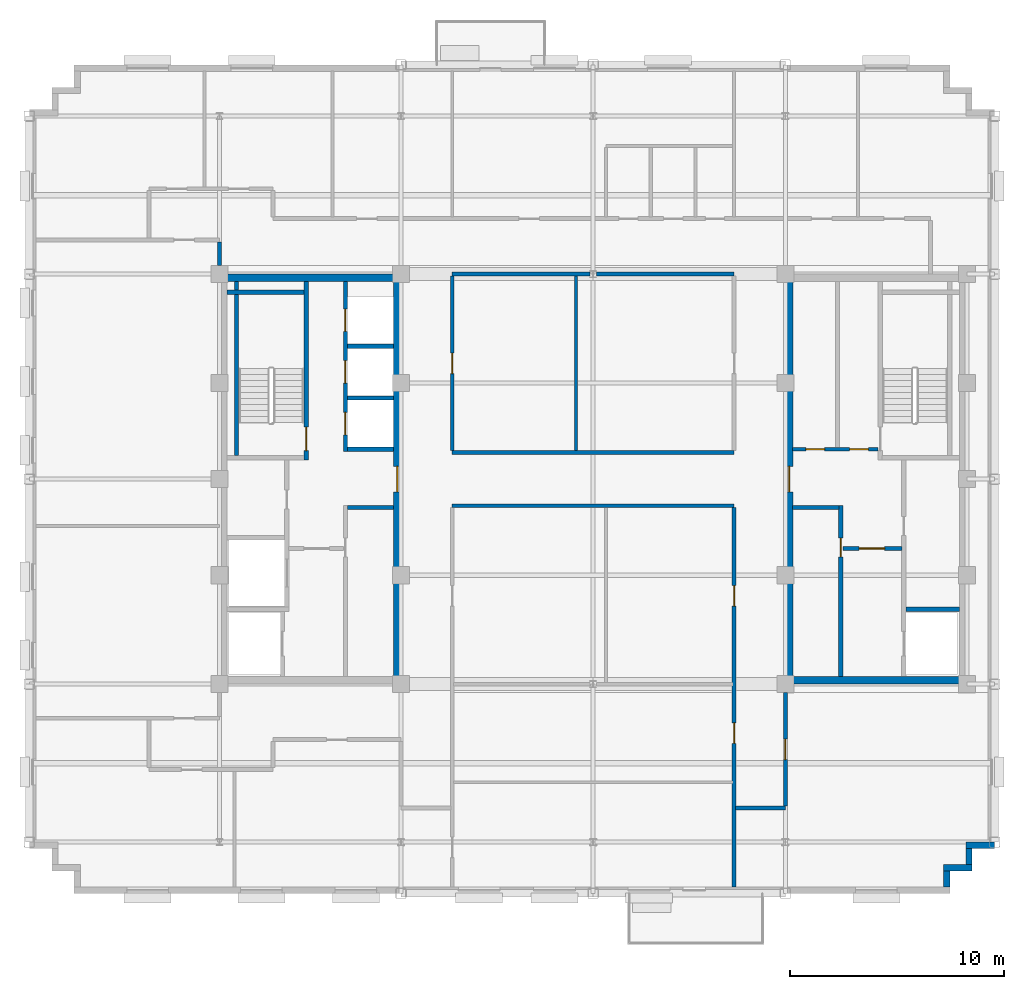
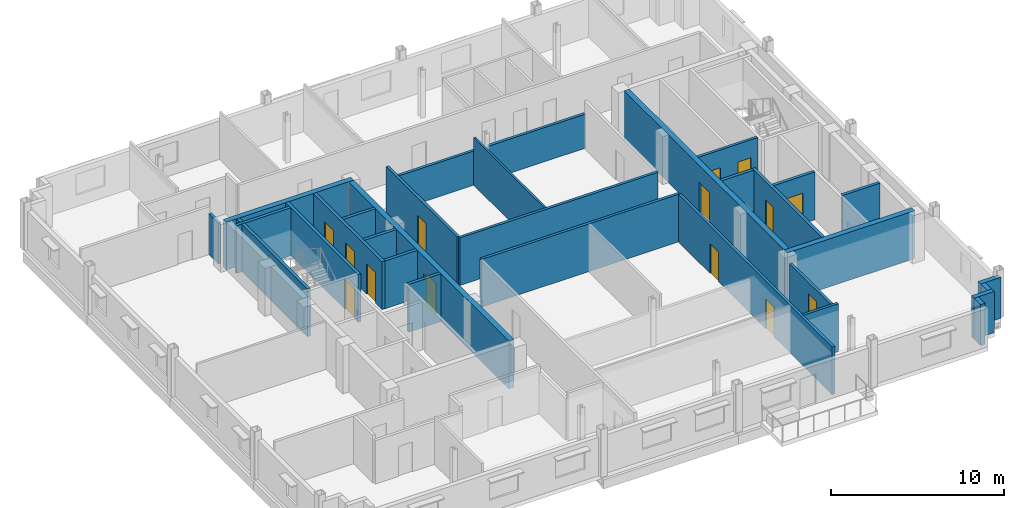
# One storey, part 7 of 13: 31 walls, 14 doors, 14 openings.
"""IFC4 building model written with IfcOpenShell, lengths in metres."""

from ifc_helpers import new_model, si_unit, direction, frame, frame_2d, origin, place, context, subcontext, project, spatial, rectangle, extrude, source, transform, mapped, material, layer, layer_set, type_object, type_shapes, element, fill, save


model = new_model("IFC4")

# Units and contexts
model_context = context("Model", 3, precision=1e-05, world=origin(), true_north=direction((0.0, 1.0)))
body_context = subcontext(model_context, "Body", "Model", "MODEL_VIEW")
ifc_project = project(units=[si_unit("LENGTHUNIT", "METRE"), si_unit("AREAUNIT", "SQUARE_METRE"), si_unit("VOLUMEUNIT", "CUBIC_METRE"), si_unit("PLANEANGLEUNIT", "RADIAN"), si_unit("MASSUNIT", "GRAM", prefix="KILO")], contexts=[model_context])

# Site, building, storey
site_placement = place(None, origin())
site = spatial("IfcSite", under=ifc_project, at=site_placement, CompositionType="ELEMENT")
building_placement = place(site_placement, origin())
building = spatial("IfcBuilding", under=site, at=building_placement, Name="Nuvemarco Arch Tower", CompositionType="ELEMENT")
storey_placement = place(building_placement, frame((0.0, 0.0, 231.050048828125)))
storey = spatial("IfcBuildingStorey", under=building, at=storey_placement, Name="L61", CompositionType="ELEMENT", Elevation=231.050048828125)

# Walls
ifc_material_1 = material(Name="Precast concrete C45/55", Category="concrete")
ifc_layer_1 = layer(ifc_material_1, 0.300048828125, Name="EW-HIGH-300")
ifc_layer_set_1 = layer_set([ifc_layer_1], Name="Precast concrete C45/55")
wall_type_1 = type_object("IfcWallType", Name="EW-HIGH-300", PredefinedType="STANDARD", material=ifc_layer_set_1)
wall_1_placement = place(storey_placement, frame((16.550048828125, -19.10400390625, 0.0), z_axis=(0.0, 0.0, 1.0), x_axis=(0.0, 1.0, 0.0)))
element("IfcWall", 1, at=wall_1_placement, inside=storey, type_object=wall_type_1, Name="L61 exterior precast facade wall 2", PredefinedType="STANDARD", context=body_context, shape_type="SweptSolid", body=[
    extrude(rectangle(XDim=0.758056640625, YDim=0.300048828125, at=frame_2d((0.37890625, 0.0))), origin(), (0.0, 0.0, 1.0), 2.891845703125),
])
wall_2_placement = place(storey_placement, frame((16.39990234375, -18.199951171875, 0.0), z_axis=(0.0, 0.0, 1.0), x_axis=(1.0, 0.0, 0.0)))
element("IfcWall", 2, at=wall_2_placement, inside=storey, type_object=wall_type_1, Name="L61 exterior precast facade wall 3", PredefinedType="STANDARD", context=body_context, shape_type="SweptSolid", body=[
    extrude(rectangle(XDim=1.35009765625, YDim=0.300048828125, at=frame_2d((0.675048828125, 0.0))), origin(), (0.0, 0.0, 1.0), 2.891845703125),
])
wall_3_placement = place(storey_placement, frame((17.60009765625, -18.053955078125, 0.0), z_axis=(0.0, 0.0, 1.0), x_axis=(0.0, 1.0, 0.0)))
element("IfcWall", 3, at=wall_3_placement, inside=storey, type_object=wall_type_1, Name="L61 exterior precast facade wall 4", PredefinedType="STANDARD", context=body_context, shape_type="SweptSolid", body=[
    extrude(rectangle(XDim=0.758056640625, YDim=0.300048828125, at=frame_2d((0.37890625, 0.0))), origin(), (0.0, 0.0, 1.0), 2.891845703125),
])
wall_4_placement = place(storey_placement, frame((17.449951171875, -17.14990234375, 0.0), z_axis=(0.0, 0.0, 1.0), x_axis=(1.0, 0.0, 0.0)))
element("IfcWall", 4, at=wall_4_placement, inside=storey, type_object=wall_type_1, Name="L61 exterior precast facade wall 5", PredefinedType="STANDARD", context=body_context, shape_type="SweptSolid", body=[
    extrude(rectangle(XDim=1.35009765625, YDim=0.300048828125, at=frame_2d((0.675048828125, 0.0))), origin(), (0.0, 0.0, 1.0), 2.891845703125),
])
ifc_material_2 = material(Name="Concrete C50/60", Category="concrete")
ifc_layer_2 = layer(ifc_material_2, 0.35009765625, Name="WL-CORE-350")
ifc_layer_set_2 = layer_set([ifc_layer_2], Name="Concrete C50/60")
wall_type_2 = type_object("IfcWallType", Name="WL-CORE-350", PredefinedType="SHEAR", material=ifc_layer_set_2)
wall_5_placement = place(storey_placement, frame((-17.5, 9.425048828125, 0.0), z_axis=(0.0, 0.0, 1.0), x_axis=(1.0, 0.0, 0.0)))
element("IfcWall", 5, at=wall_5_placement, inside=storey, type_object=wall_type_2, Name="L61 W-core shear wall N", PredefinedType="SHEAR", context=body_context, shape_type="SweptSolid", body=[
    extrude(rectangle(XDim=8.5, YDim=0.35009765625, at=frame_2d((4.25, 0.0))), origin(), (0.0, 0.0, 1.0), 3.369873046875),
])

# Wall, opening, door
wall_6_placement = place(storey_placement, frame((-9.175048828125, -9.2548828125, 0.0), z_axis=(0.0, 0.0, 1.0), x_axis=(0.0, 1.0, 0.0)))
wall_6 = element("IfcWall", 6, at=wall_6_placement, inside=storey, type_object=wall_type_2, Name="L61 W-core shear wall E", PredefinedType="SHEAR", context=body_context, shape_type="SweptSolid", body=[
    extrude(rectangle(XDim=18.509765625, YDim=0.35009765625, at=frame_2d((9.2548828125, 0.0))), origin(), (0.0, 0.0, 1.0), 3.369873046875),
])
opening_1_placement = place(wall_6_placement, frame((8.655029296875, 0.0, 0.0)))
opening_1 = element("IfcOpeningElement", 7, at=opening_1_placement, cuts=wall_6, Name="Opening FD-2", PredefinedType="OPENING", context=body_context, shape_type="SweptSolid", body=[
    extrude(rectangle(XDim=1.199951171875, YDim=2.14990234375, at=frame_2d((0.60009765625, 1.074951171875))), frame((0.0, 0.18505859375, 0.0), z_axis=(0.0, -1.0, 0.0), x_axis=(1.0, 0.0, 0.0)), (0.0, 0.0, 1.0), 0.3701171875),
])
ifc_material_3 = material(Name="Anodised steel fire door", Category="steel")
door_type_1 = type_object("IfcDoorType", Name="DR-FFLOB-FD", OperationType="NOTDEFINED", PredefinedType="DOOR", material=ifc_material_3)
shared_shape_1 = source(origin(), body_context, "Body", "SweptSolid", [
    extrude(rectangle(XDim=1.199951171875, YDim=2.14990234375, at=frame_2d((0.60009765625, 1.074951171875))), frame((0.0, 0.02490234375, 0.0), z_axis=(0.0, -1.0, 0.0), x_axis=(1.0, 0.0, 0.0)), (0.0, 0.0, 1.0), 0.050048828125),
])
type_shapes(door_type_1, [shared_shape_1])
door_1_placement = place(opening_1_placement, origin())
door_1 = element("IfcDoor", 8, at=door_1_placement, inside=storey, type_object=door_type_1, Name="L61 door FD-L61-WCORE-E", OperationType="SINGLE_SWING_RIGHT", OverallHeight=2.14990234375, OverallWidth=1.199951171875, PredefinedType="DOOR", context=body_context, shape_type="MappedRepresentation", body=[
    mapped(shared_shape_1, transform((0.0, 0.0, 0.0), scale=1.0)),
])
fill(opening_1, door_1)

# Wall
wall_7_placement = place(storey_placement, frame((9.0, -9.425048828125, 0.0), z_axis=(0.0, 0.0, 1.0), x_axis=(1.0, 0.0, 0.0)))
element("IfcWall", 9, at=wall_7_placement, inside=storey, type_object=wall_type_2, Name="L61 E-core shear wall S", PredefinedType="SHEAR", context=body_context, shape_type="SweptSolid", body=[
    extrude(rectangle(XDim=8.5, YDim=0.35009765625, at=frame_2d((4.25, 0.0))), origin(), (0.0, 0.0, 1.0), 3.369873046875),
])

# Wall, opening, door
wall_8_placement = place(storey_placement, frame((9.175048828125, -9.2548828125, 0.0), z_axis=(0.0, 0.0, 1.0), x_axis=(0.0, 1.0, 0.0)))
wall_8 = element("IfcWall", 10, at=wall_8_placement, inside=storey, type_object=wall_type_2, Name="L61 E-core shear wall W", PredefinedType="SHEAR", context=body_context, shape_type="SweptSolid", body=[
    extrude(rectangle(XDim=18.509765625, YDim=0.35009765625, at=frame_2d((9.2548828125, 0.0))), origin(), (0.0, 0.0, 1.0), 3.369873046875),
])
opening_2_placement = place(wall_8_placement, frame((8.655029296875, 0.0, 0.0)))
opening_2 = element("IfcOpeningElement", 11, at=opening_2_placement, cuts=wall_8, Name="Opening FD-2", PredefinedType="OPENING", context=body_context, shape_type="SweptSolid", body=[
    extrude(rectangle(XDim=1.199951171875, YDim=2.14990234375, at=frame_2d((0.60009765625, 1.074951171875))), frame((0.0, 0.18505859375, 0.0), z_axis=(0.0, -1.0, 0.0), x_axis=(1.0, 0.0, 0.0)), (0.0, 0.0, 1.0), 0.3701171875),
])
door_2_placement = place(opening_2_placement, origin())
door_2 = element("IfcDoor", 12, at=door_2_placement, inside=storey, type_object=door_type_1, Name="L61 door FD-L61-ECORE-W", OperationType="SINGLE_SWING_LEFT", OverallHeight=2.14990234375, OverallWidth=1.199951171875, PredefinedType="DOOR", context=body_context, shape_type="MappedRepresentation", body=[
    mapped(shared_shape_1, transform((0.0, 0.0, 0.0), scale=1.0)),
])
fill(opening_2, door_2)

# Wall, openings, doors
ifc_material_4 = material(Name="Fire-rated gypsum drywall partition")
ifc_layer_3 = layer(ifc_material_4, 0.179931640625, Name="WL-CORR-180")
ifc_layer_set_3 = layer_set([ifc_layer_3], Name="Fire-rated gypsum drywall partition")
wall_type_3 = type_object("IfcWallType", Name="WL-CORR-180", PredefinedType="PARTITIONING", material=ifc_layer_set_3)
wall_9_placement = place(storey_placement, frame((9.344970703125, 1.39990234375, 0.0), z_axis=(0.0, 0.0, 1.0), x_axis=(1.0, 0.0, 0.0)))
wall_9 = element("IfcWall", 13, at=wall_9_placement, inside=storey, type_object=wall_type_3, Name="L61 interior wall IW-L61-EK-S", PredefinedType="PARTITIONING", context=body_context, shape_type="SweptSolid", body=[
    extrude(rectangle(XDim=4.0, YDim=0.179931640625, at=frame_2d((2.0, 0.0))), origin(), (0.0, 0.0, 1.0), 3.35986328125),
])
opening_3_placement = place(wall_9_placement, frame((0.614990234375, 0.0, 0.0)))
opening_3 = element("IfcOpeningElement", 14, at=opening_3_placement, cuts=wall_9, Name="Opening FD-4", PredefinedType="OPENING", context=body_context, shape_type="SweptSolid", body=[
    extrude(rectangle(XDim=0.8798828125, YDim=2.10009765625, at=frame_2d((0.43994140625, 1.050048828125))), frame((0.0, 0.099853515625, 0.0), z_axis=(0.0, -1.0, 0.0), x_axis=(1.0, 0.0, 0.0)), (0.0, 0.0, 1.0), 0.199951171875),
])
opening_4_placement = place(wall_9_placement, frame((2.6650390625, 0.0, 0.0)))
opening_4 = element("IfcOpeningElement", 15, at=opening_4_placement, cuts=wall_9, Name="Opening FD-4", PredefinedType="OPENING", context=body_context, shape_type="SweptSolid", body=[
    extrude(rectangle(XDim=0.8798828125, YDim=2.10009765625, at=frame_2d((0.43994140625, 1.050048828125))), frame((0.0, 0.099853515625, 0.0), z_axis=(0.0, -1.0, 0.0), x_axis=(1.0, 0.0, 0.0)), (0.0, 0.0, 1.0), 0.199951171875),
])
door_type_2 = type_object("IfcDoorType", Name="DR-RISER-FD", OperationType="NOTDEFINED", PredefinedType="DOOR", material=ifc_material_3)
shared_shape_2 = source(origin(), body_context, "Body", "SweptSolid", [
    extrude(rectangle(XDim=0.8798828125, YDim=2.10009765625, at=frame_2d((0.43994140625, 1.050048828125))), frame((0.0, 0.02490234375, 0.0), z_axis=(0.0, -1.0, 0.0), x_axis=(1.0, 0.0, 0.0)), (0.0, 0.0, 1.0), 0.050048828125),
])
type_shapes(door_type_2, [shared_shape_2])
door_3_placement = place(opening_3_placement, origin())
door_3 = element("IfcDoor", 16, at=door_3_placement, inside=storey, type_object=door_type_2, Name="L61 door FD-L61-EK2A", OperationType="SINGLE_SWING_RIGHT", OverallHeight=2.10009765625, OverallWidth=0.8798828125, PredefinedType="DOOR", context=body_context, shape_type="MappedRepresentation", body=[
    mapped(shared_shape_2, transform((0.0, 0.0, 0.0), scale=1.0)),
])
fill(opening_3, door_3)
door_4_placement = place(opening_4_placement, origin())
door_4 = element("IfcDoor", 17, at=door_4_placement, inside=storey, type_object=door_type_2, Name="L61 door FD-L61-EK2B", OperationType="SINGLE_SWING_LEFT", OverallHeight=2.10009765625, OverallWidth=0.8798828125, PredefinedType="DOOR", context=body_context, shape_type="MappedRepresentation", body=[
    mapped(shared_shape_2, transform((0.0, 0.0, 0.0), scale=1.0)),
])
fill(opening_4, door_4)

# Walls
wall_10_placement = place(storey_placement, frame((6.660888671875, -15.39990234375, 0.0), z_axis=(0.0, 0.0, 1.0), x_axis=(1.0, 0.0, 0.0)))
element("IfcWall", 18, at=wall_10_placement, inside=storey, type_object=wall_type_3, Name="L61 interior wall IW-L61-002", PredefinedType="PARTITIONING", context=body_context, shape_type="SweptSolid", body=[
    extrude(rectangle(XDim=2.339111328125, YDim=0.179931640625, at=frame_2d((1.16943359375, 0.0))), origin(), (0.0, 0.0, 1.0), 3.35986328125),
])
for number, where, z_axis, x_axis, name in (
    (19, (-6.60009765625, -1.25, 0.0), (0.0, 0.0, 1.0), (1.0, 0.0, 0.0), "L61 interior wall IW-L61-010"),
    (20, (-6.60009765625, 1.25, 0.0), (0.0, 0.0, 1.0), (1.0, 0.0, 0.0), "L61 interior wall IW-L61-011"),
):
    element("IfcWall", number, at=place(storey_placement, frame(where, z_axis=z_axis, x_axis=x_axis)), inside=storey, type_object=wall_type_3, Name=name, PredefinedType="PARTITIONING", context=body_context, shape_type="SweptSolid", body=[
        extrude(rectangle(XDim=13.2001953125, YDim=0.179931640625, at=frame_2d((6.60009765625, 0.0))), origin(), (0.0, 0.0, 1.0), 3.35986328125),
    ])
for number, where, z_axis, x_axis, name in (
    (21, (-6.60009765625, 9.60009765625, 0.0), (0.0, 0.0, 1.0), (1.0, 0.0, 0.0), "L61 interior wall IW-L61-012"),
    (22, (0.15087890625, 9.60009765625, 0.0), (0.0, 0.0, 1.0), (1.0, 0.0, 0.0), "L61 interior wall IW-L61-013"),
):
    element("IfcWall", number, at=place(storey_placement, frame(where, z_axis=z_axis, x_axis=x_axis)), inside=storey, type_object=wall_type_3, Name=name, PredefinedType="PARTITIONING", context=body_context, shape_type="SweptSolid", body=[
        extrude(rectangle(XDim=6.44921875, YDim=0.179931640625, at=frame_2d((3.224609375, 0.0))), origin(), (0.0, 0.0, 1.0), 2.405029296875),
    ])
wall_11_placement = place(storey_placement, frame((-17.5, 9.99609375, 0.0), z_axis=(0.0, 0.0, 1.0), x_axis=(0.0, 1.0, 0.0)))
element("IfcWall", 23, at=wall_11_placement, inside=storey, type_object=wall_type_3, Name="L61 interior wall IW-L61-022", PredefinedType="PARTITIONING", context=body_context, shape_type="SweptSolid", body=[
    extrude(rectangle(XDim=1.117919921875, YDim=0.179931640625, at=frame_2d((0.55908203125, 0.0))), origin(), (0.0, 0.0, 1.0), 2.891845703125),
])

# Wall, opening, door
wall_12_placement = place(storey_placement, frame((-6.60009765625, 1.3359375, 0.0), z_axis=(0.0, 0.0, 1.0), x_axis=(0.0, 1.0, 0.0)))
wall_12 = element("IfcWall", 24, at=wall_12_placement, inside=storey, type_object=wall_type_3, Name="L61 interior wall IW-L61-029", PredefinedType="PARTITIONING", context=body_context, shape_type="SweptSolid", body=[
    extrude(rectangle(XDim=8.177978515625, YDim=0.179931640625, at=frame_2d((4.0888671875, 0.0))), origin(), (0.0, 0.0, 1.0), 3.35986328125),
])
opening_5_placement = place(wall_12_placement, frame((3.60888671875, 0.0, 0.0)))
opening_5 = element("IfcOpeningElement", 25, at=opening_5_placement, cuts=wall_12, Name="Opening FD-5", PredefinedType="OPENING", context=body_context, shape_type="SweptSolid", body=[
    extrude(rectangle(XDim=0.9599609375, YDim=2.10009765625, at=frame_2d((0.47998046875, 1.050048828125))), frame((0.0, 0.099853515625, 0.0), z_axis=(0.0, -1.0, 0.0), x_axis=(1.0, 0.0, 0.0)), (0.0, 0.0, 1.0), 0.199951171875),
])
ifc_material_5 = material(Name="Timber fire door", Category="wood")
door_type_3 = type_object("IfcDoorType", Name="DR-CORR-FD", OperationType="NOTDEFINED", PredefinedType="DOOR", material=ifc_material_5)
shared_shape_3 = source(origin(), body_context, "Body", "SweptSolid", [
    extrude(rectangle(XDim=0.9599609375, YDim=2.10009765625, at=frame_2d((0.47998046875, 1.050048828125))), frame((0.0, 0.02490234375, 0.0), z_axis=(0.0, -1.0, 0.0), x_axis=(1.0, 0.0, 0.0)), (0.0, 0.0, 1.0), 0.050048828125),
])
type_shapes(door_type_3, [shared_shape_3])
door_5_placement = place(opening_5_placement, origin())
door_5 = element("IfcDoor", 26, at=door_5_placement, inside=storey, type_object=door_type_3, Name="L61 door DR-L61-C_N1", OperationType="SINGLE_SWING_RIGHT", OverallHeight=2.10009765625, OverallWidth=0.9599609375, PredefinedType="DOOR", context=body_context, shape_type="MappedRepresentation", body=[
    mapped(shared_shape_3, transform((0.0, 0.0, 0.0), scale=1.0)),
])
fill(opening_5, door_5)

# Wall, openings, doors
wall_13_placement = place(storey_placement, frame((6.60009765625, -19.10009765625, 0.0), z_axis=(0.0, 0.0, 1.0), x_axis=(0.0, 1.0, 0.0)))
wall_13 = element("IfcWall", 27, at=wall_13_placement, inside=storey, type_object=wall_type_3, Name="L61 interior wall IW-L61-036", PredefinedType="PARTITIONING", context=body_context, shape_type="SweptSolid", body=[
    extrude(rectangle(XDim=17.76416015625, YDim=0.179931640625, at=frame_2d((8.882080078125, 0.0))), origin(), (0.0, 0.0, 1.0), 3.35986328125),
])
opening_6_placement = place(wall_13_placement, frame((13.152099609375, 0.0, 0.0)))
opening_6 = element("IfcOpeningElement", 28, at=opening_6_placement, cuts=wall_13, Name="Opening FD-5", PredefinedType="OPENING", context=body_context, shape_type="SweptSolid", body=[
    extrude(rectangle(XDim=0.9599609375, YDim=2.10009765625, at=frame_2d((0.47998046875, 1.050048828125))), frame((0.0, 0.099853515625, 0.0), z_axis=(0.0, -1.0, 0.0), x_axis=(1.0, 0.0, 0.0)), (0.0, 0.0, 1.0), 0.199951171875),
])
opening_7_placement = place(wall_13_placement, frame((6.719970703125, 0.0, 0.0)))
opening_7 = element("IfcOpeningElement", 29, at=opening_7_placement, cuts=wall_13, Name="Opening FD-5", PredefinedType="OPENING", context=body_context, shape_type="SweptSolid", body=[
    extrude(rectangle(XDim=0.9599609375, YDim=2.10009765625, at=frame_2d((0.47998046875, 1.050048828125))), frame((0.0, 0.099853515625, 0.0), z_axis=(0.0, -1.0, 0.0), x_axis=(1.0, 0.0, 0.0)), (0.0, 0.0, 1.0), 0.199951171875),
])
door_6_placement = place(opening_6_placement, origin())
door_6 = element("IfcDoor", 30, at=door_6_placement, inside=storey, type_object=door_type_3, Name="L61 door DR-L61-C_S2", OperationType="SINGLE_SWING_LEFT", OverallHeight=2.10009765625, OverallWidth=0.9599609375, PredefinedType="DOOR", context=body_context, shape_type="MappedRepresentation", body=[
    mapped(shared_shape_3, transform((0.0, 0.0, 0.0), scale=1.0)),
])
fill(opening_6, door_6)
door_7_placement = place(opening_7_placement, origin())
door_7 = element("IfcDoor", 31, at=door_7_placement, inside=storey, type_object=door_type_3, Name="L61 door DR-L61-S_3", OperationType="SINGLE_SWING_LEFT", OverallHeight=2.10009765625, OverallWidth=0.9599609375, PredefinedType="DOOR", context=body_context, shape_type="MappedRepresentation", body=[
    mapped(shared_shape_3, transform((0.0, 0.0, 0.0), scale=1.0)),
])
fill(opening_7, door_7)

# Wall, opening, door
wall_14_placement = place(storey_placement, frame((9.0, -15.31396484375, 0.0), z_axis=(0.0, 0.0, 1.0), x_axis=(0.0, 1.0, 0.0)))
wall_14 = element("IfcWall", 32, at=wall_14_placement, inside=storey, type_object=wall_type_3, Name="L61 interior wall IW-L61-039", PredefinedType="PARTITIONING", context=body_context, shape_type="SweptSolid", body=[
    extrude(rectangle(XDim=5.31787109375, YDim=0.179931640625, at=frame_2d((2.658935546875, 0.0))), origin(), (0.0, 0.0, 1.0), 2.891845703125),
])
opening_8_placement = place(wall_14_placement, frame((2.178955078125, 0.0, 0.0)))
opening_8 = element("IfcOpeningElement", 33, at=opening_8_placement, cuts=wall_14, Name="Opening FD-5", PredefinedType="OPENING", context=body_context, shape_type="SweptSolid", body=[
    extrude(rectangle(XDim=0.9599609375, YDim=2.10009765625, at=frame_2d((0.47998046875, 1.050048828125))), frame((0.0, 0.099853515625, 0.0), z_axis=(0.0, -1.0, 0.0), x_axis=(1.0, 0.0, 0.0)), (0.0, 0.0, 1.0), 0.199951171875),
])
door_8_placement = place(opening_8_placement, origin())
door_8 = element("IfcDoor", 34, at=door_8_placement, inside=storey, type_object=door_type_3, Name="L61 door DR-L61-S_5", OperationType="SINGLE_SWING_RIGHT", OverallHeight=2.10009765625, OverallWidth=0.9599609375, PredefinedType="DOOR", context=body_context, shape_type="MappedRepresentation", body=[
    mapped(shared_shape_3, transform((0.0, 0.0, 0.0), scale=1.0)),
])
fill(opening_8, door_8)

# Wall
ifc_material_6 = material(Name="Glazed acoustic office partition")
ifc_layer_4 = layer(ifc_material_6, 0.1298828125, Name="WL-EXEC-130")
ifc_layer_set_4 = layer_set([ifc_layer_4], Name="Glazed acoustic office partition")
wall_type_4 = type_object("IfcWallType", Name="WL-EXEC-130", PredefinedType="PARTITIONING", material=ifc_layer_set_4)
wall_15_placement = place(storey_placement, frame((-0.800048828125, 1.3359375, 0.0), z_axis=(0.0, 0.0, 1.0), x_axis=(0.0, 1.0, 0.0)))
element("IfcWall", 35, at=wall_15_placement, inside=storey, type_object=wall_type_4, Name="L61 interior wall IW-L61-031", PredefinedType="PARTITIONING", context=body_context, shape_type="SweptSolid", body=[
    extrude(rectangle(XDim=8.177978515625, YDim=0.1298828125, at=frame_2d((4.0888671875, 0.0))), origin(), (0.0, 0.0, 1.0), 3.35986328125),
])

# Wall, opening, door
ifc_layer_5 = layer(ifc_material_2, 0.199951171875, Name="WL-SHAFT-220")
ifc_layer_set_5 = layer_set([ifc_layer_5], Name="Concrete C50/60")
wall_type_5 = type_object("IfcWallType", Name="WL-SHAFT-220", PredefinedType="SHEAR", material=ifc_layer_set_5)
wall_16_placement = place(storey_placement, frame((-13.43994140625, 0.89990234375, 0.0), z_axis=(0.0, 0.0, 1.0), x_axis=(0.0, 1.0, 0.0)))
wall_16 = element("IfcWall", 36, at=wall_16_placement, inside=storey, type_object=wall_type_5, Name="L61 structural shaft wall SW-L61-W-ST1E", PredefinedType="SHEAR", context=body_context, shape_type="SweptSolid", body=[
    extrude(rectangle(XDim=8.35498046875, YDim=0.199951171875, at=frame_2d((4.177490234375, 0.0))), origin(), (0.0, 0.0, 1.0), 3.369873046875),
])
opening_9_placement = place(wall_16_placement, frame((1.530029296875, 0.0, 0.0), z_axis=(0.0, 0.0, 1.0), x_axis=(-1.0, 0.0, 0.0)))
opening_9 = element("IfcOpeningElement", 37, at=opening_9_placement, cuts=wall_16, Name="Opening FD-1", PredefinedType="OPENING", context=body_context, shape_type="SweptSolid", body=[
    extrude(rectangle(XDim=1.10009765625, YDim=2.14990234375, at=frame_2d((0.550048828125, 1.074951171875))), frame((0.0, 0.10986328125, 0.0), z_axis=(0.0, -1.0, 0.0), x_axis=(1.0, 0.0, 0.0)), (0.0, 0.0, 1.0), 0.219970703125),
])
door_type_4 = type_object("IfcDoorType", Name="DR-STAIR-FD", OperationType="NOTDEFINED", PredefinedType="DOOR", material=ifc_material_3)
shared_shape_4 = source(origin(), body_context, "Body", "SweptSolid", [
    extrude(rectangle(XDim=1.10009765625, YDim=2.14990234375, at=frame_2d((0.550048828125, 1.074951171875))), frame((0.0, 0.02490234375, 0.0), z_axis=(0.0, -1.0, 0.0), x_axis=(1.0, 0.0, 0.0)), (0.0, 0.0, 1.0), 0.050048828125),
])
type_shapes(door_type_4, [shared_shape_4])
door_9_placement = place(opening_9_placement, origin())
door_9 = element("IfcDoor", 38, at=door_9_placement, inside=storey, type_object=door_type_4, Name="L61 door FD-L61-ST1", OperationType="SINGLE_SWING_RIGHT", OverallHeight=2.14990234375, OverallWidth=1.10009765625, PredefinedType="DOOR", context=body_context, shape_type="MappedRepresentation", body=[
    mapped(shared_shape_4, transform((0.0, 0.0, 0.0), scale=1.0)),
])
fill(opening_9, door_9)

# Walls
wall_17_placement = place(storey_placement, frame((-17.155029296875, 8.75, 0.0), z_axis=(0.0, 0.0, 1.0), x_axis=(1.0, 0.0, 0.0)))
element("IfcWall", 39, at=wall_17_placement, inside=storey, type_object=wall_type_5, Name="L61 structural shaft wall SW-L61-W-ST1N", PredefinedType="SHEAR", context=body_context, shape_type="SweptSolid", body=[
    extrude(rectangle(XDim=3.6201171875, YDim=0.199951171875, at=frame_2d((1.81005859375, 0.0))), origin(), (0.0, 0.0, 1.0), 3.369873046875),
])
wall_18_placement = place(storey_placement, frame((-16.699951171875, 1.094970703125, 0.0), z_axis=(0.0, 0.0, 1.0), x_axis=(0.0, 1.0, 0.0)))
element("IfcWall", 40, at=wall_18_placement, inside=storey, type_object=wall_type_5, Name="L61 structural shaft wall SW-L61-W-ST1W", PredefinedType="SHEAR", context=body_context, shape_type="SweptSolid", body=[
    extrude(rectangle(XDim=8.159912109375, YDim=0.199951171875, at=frame_2d((4.080078125, 0.0))), origin(), (0.0, 0.0, 1.0), 3.369873046875),
])
wall_19_placement = place(storey_placement, frame((-11.5048828125, -1.330078125, 0.0), z_axis=(0.0, 0.0, 1.0), x_axis=(1.0, 0.0, 0.0)))
element("IfcWall", 41, at=wall_19_placement, inside=storey, type_object=wall_type_5, Name="L61 structural shaft wall SW-L61-W-PLTOP", PredefinedType="SHEAR", context=body_context, shape_type="SweptSolid", body=[
    extrude(rectangle(XDim=2.159912109375, YDim=0.199951171875, at=frame_2d((1.080078125, 0.0))), origin(), (0.0, 0.0, 1.0), 3.369873046875),
])

# Wall, openings, doors
wall_20_placement = place(storey_placement, frame((-11.60009765625, 1.300048828125, 0.0), z_axis=(0.0, 0.0, 1.0), x_axis=(0.0, 1.0, 0.0)))
wall_20 = element("IfcWall", 42, at=wall_20_placement, inside=storey, type_object=wall_type_5, Name="L61 structural shaft wall SW-L61-W-PHW", PredefinedType="SHEAR", context=body_context, shape_type="SweptSolid", body=[
    extrude(rectangle(XDim=7.954833984375, YDim=0.199951171875, at=frame_2d((3.9775390625, 0.0))), origin(), (0.0, 0.0, 1.0), 3.369873046875),
])
opening_10_placement = place(wall_20_placement, frame((0.77490234375, 0.0, 0.0)))
opening_10 = element("IfcOpeningElement", 43, at=opening_10_placement, cuts=wall_20, Name="Opening LD-1", PredefinedType="OPENING", context=body_context, shape_type="SweptSolid", body=[
    extrude(rectangle(XDim=1.050048828125, YDim=2.14990234375, at=frame_2d((0.52490234375, 1.074951171875))), frame((0.0, 0.10986328125, 0.0), z_axis=(0.0, -1.0, 0.0), x_axis=(1.0, 0.0, 0.0)), (0.0, 0.0, 1.0), 0.219970703125),
])
opening_11_placement = place(wall_20_placement, frame((3.195068359375, 0.0, 0.0)))
opening_11 = element("IfcOpeningElement", 44, at=opening_11_placement, cuts=wall_20, Name="Opening LD-1", PredefinedType="OPENING", context=body_context, shape_type="SweptSolid", body=[
    extrude(rectangle(XDim=1.050048828125, YDim=2.14990234375, at=frame_2d((0.52490234375, 1.074951171875))), frame((0.0, 0.10986328125, 0.0), z_axis=(0.0, -1.0, 0.0), x_axis=(1.0, 0.0, 0.0)), (0.0, 0.0, 1.0), 0.219970703125),
])
opening_12_placement = place(wall_20_placement, frame((5.614990234375, 0.0, 0.0)))
opening_12 = element("IfcOpeningElement", 45, at=opening_12_placement, cuts=wall_20, Name="Opening LD-1", PredefinedType="OPENING", context=body_context, shape_type="SweptSolid", body=[
    extrude(rectangle(XDim=1.050048828125, YDim=2.14990234375, at=frame_2d((0.52490234375, 1.074951171875))), frame((0.0, 0.10986328125, 0.0), z_axis=(0.0, -1.0, 0.0), x_axis=(1.0, 0.0, 0.0)), (0.0, 0.0, 1.0), 0.219970703125),
])
ifc_material_7 = material(Name="Stainless steel lift door", Category="steel")
door_type_5 = type_object("IfcDoorType", Name="DR-LIFT-PASS", OperationType="DOUBLE_DOOR_SLIDING", PredefinedType="DOOR", material=ifc_material_7)
shared_shape_5 = source(origin(), body_context, "Body", "SweptSolid", [
    extrude(rectangle(XDim=1.050048828125, YDim=2.14990234375, at=frame_2d((0.52490234375, 1.074951171875))), frame((0.0, 0.02490234375, 0.0), z_axis=(0.0, -1.0, 0.0), x_axis=(1.0, 0.0, 0.0)), (0.0, 0.0, 1.0), 0.050048828125),
])
type_shapes(door_type_5, [shared_shape_5])
door_10_placement = place(opening_10_placement, origin())
door_10 = element("IfcDoor", 46, at=door_10_placement, inside=storey, type_object=door_type_5, Name="L61 Lift landing sliding door PH-1", OperationType="DOUBLE_DOOR_SLIDING", OverallHeight=2.14990234375, OverallWidth=1.050048828125, PredefinedType="DOOR", context=body_context, shape_type="MappedRepresentation", body=[
    mapped(shared_shape_5, transform((0.0, 0.0, 0.0), scale=1.0)),
])
fill(opening_10, door_10)
door_11_placement = place(opening_11_placement, origin())
door_11 = element("IfcDoor", 47, at=door_11_placement, inside=storey, type_object=door_type_5, Name="L61 Lift landing sliding door PH-2", OperationType="DOUBLE_DOOR_SLIDING", OverallHeight=2.14990234375, OverallWidth=1.050048828125, PredefinedType="DOOR", context=body_context, shape_type="MappedRepresentation", body=[
    mapped(shared_shape_5, transform((0.0, 0.0, 0.0), scale=1.0)),
])
fill(opening_11, door_11)
door_12_placement = place(opening_12_placement, origin())
door_12 = element("IfcDoor", 48, at=door_12_placement, inside=storey, type_object=door_type_5, Name="L61 Lift landing sliding door PH-3", OperationType="DOUBLE_DOOR_SLIDING", OverallHeight=2.14990234375, OverallWidth=1.050048828125, PredefinedType="DOOR", context=body_context, shape_type="MappedRepresentation", body=[
    mapped(shared_shape_5, transform((0.0, 0.0, 0.0), scale=1.0)),
])
fill(opening_12, door_12)

# Walls
for number, where, z_axis, x_axis, name in (
    (49, (-11.5048828125, 1.39990234375, 0.0), (0.0, 0.0, 1.0), (1.0, 0.0, 0.0), "L61 structural shaft wall SW-L61-W-PHD1"),
    (50, (-11.5048828125, 3.800048828125, 0.0), (0.0, 0.0, 1.0), (1.0, 0.0, 0.0), "L61 structural shaft wall SW-L61-W-PHD2"),
    (51, (-11.5048828125, 6.219970703125, 0.0), (0.0, 0.0, 1.0), (1.0, 0.0, 0.0), "L61 structural shaft wall SW-L61-W-PHD3"),
):
    element("IfcWall", number, at=place(storey_placement, frame(where, z_axis=z_axis, x_axis=x_axis)), inside=storey, type_object=wall_type_5, Name=name, PredefinedType="SHEAR", context=body_context, shape_type="SweptSolid", body=[
        extrude(rectangle(XDim=2.159912109375, YDim=0.199951171875, at=frame_2d((1.080078125, 0.0))), origin(), (0.0, 0.0, 1.0), 3.369873046875),
    ])
wall_21_placement = place(storey_placement, frame((14.64501953125, -6.10009765625, 0.0), z_axis=(0.0, 0.0, 1.0), x_axis=(1.0, 0.0, 0.0)))
element("IfcWall", 52, at=wall_21_placement, inside=storey, type_object=wall_type_5, Name="L61 structural shaft wall SW-L61-E-SH1", PredefinedType="SHEAR", context=body_context, shape_type="SweptSolid", body=[
    extrude(rectangle(XDim=2.510009765625, YDim=0.199951171875, at=frame_2d((1.2548828125, 0.0))), origin(), (0.0, 0.0, 1.0), 3.369873046875),
])

# Wall, opening, door
wall_22_placement = place(storey_placement, frame((11.60009765625, -9.2548828125, 0.0), z_axis=(0.0, 0.0, 1.0), x_axis=(0.0, 1.0, 0.0)))
wall_22 = element("IfcWall", 53, at=wall_22_placement, inside=storey, type_object=wall_type_5, Name="L61 structural shaft wall SW-L61-E-PME", PredefinedType="SHEAR", context=body_context, shape_type="SweptSolid", body=[
    extrude(rectangle(XDim=8.02490234375, YDim=0.199951171875, at=frame_2d((4.012451171875, 0.0))), origin(), (0.0, 0.0, 1.0), 3.369873046875),
])
opening_13_placement = place(wall_22_placement, frame((5.614990234375, 0.0, 0.0)))
opening_13 = element("IfcOpeningElement", 54, at=opening_13_placement, cuts=wall_22, Name="Opening FD-4", PredefinedType="OPENING", context=body_context, shape_type="SweptSolid", body=[
    extrude(rectangle(XDim=0.8798828125, YDim=2.10009765625, at=frame_2d((0.43994140625, 1.050048828125))), frame((0.0, 0.10986328125, 0.0), z_axis=(0.0, -1.0, 0.0), x_axis=(1.0, 0.0, 0.0)), (0.0, 0.0, 1.0), 0.219970703125),
])
door_13_placement = place(opening_13_placement, origin())
door_13 = element("IfcDoor", 55, at=door_13_placement, inside=storey, type_object=door_type_2, Name="L61 door FD-L61-ERECPM", OperationType="SINGLE_SWING_LEFT", OverallHeight=2.10009765625, OverallWidth=0.8798828125, PredefinedType="DOOR", context=body_context, shape_type="MappedRepresentation", body=[
    mapped(shared_shape_2, transform((0.0, 0.0, 0.0), scale=1.0)),
])
fill(opening_13, door_13)

wall_23_placement = place(storey_placement, frame((11.695068359375, -3.25, 0.0), z_axis=(0.0, 0.0, 1.0), x_axis=(1.0, 0.0, 0.0)))
wall_23 = element("IfcWall", 56, at=wall_23_placement, inside=storey, type_object=wall_type_5, Name="L61 structural shaft wall SW-L61-E-FFN", PredefinedType="SHEAR", context=body_context, shape_type="SweptSolid", body=[
    extrude(rectangle(XDim=2.760009765625, YDim=0.199951171875, at=frame_2d((1.3798828125, 0.0))), origin(), (0.0, 0.0, 1.0), 3.369873046875),
])
opening_14_placement = place(wall_23_placement, frame((0.7548828125, 0.0, 0.0)))
opening_14 = element("IfcOpeningElement", 57, at=opening_14_placement, cuts=wall_23, Name="Opening FD-2", PredefinedType="OPENING", context=body_context, shape_type="SweptSolid", body=[
    extrude(rectangle(XDim=1.199951171875, YDim=2.14990234375, at=frame_2d((0.60009765625, 1.074951171875))), frame((0.0, 0.10986328125, 0.0), z_axis=(0.0, -1.0, 0.0), x_axis=(1.0, 0.0, 0.0)), (0.0, 0.0, 1.0), 0.219970703125),
])
door_14_placement = place(opening_14_placement, origin())
door_14 = element("IfcDoor", 58, at=door_14_placement, inside=storey, type_object=door_type_1, Name="L61 door FD-L61-EFF2", OperationType="SINGLE_SWING_LEFT", OverallHeight=2.14990234375, OverallWidth=1.199951171875, PredefinedType="DOOR", context=body_context, shape_type="MappedRepresentation", body=[
    mapped(shared_shape_1, transform((0.0, 0.0, 0.0), scale=1.0)),
])
fill(opening_14, door_14)

# Wall
wall_24_placement = place(storey_placement, frame((9.344970703125, -1.330078125, 0.0), z_axis=(0.0, 0.0, 1.0), x_axis=(1.0, 0.0, 0.0)))
element("IfcWall", 59, at=wall_24_placement, inside=storey, type_object=wall_type_5, Name="L61 structural shaft wall SW-L61-E-PMTOP", PredefinedType="SHEAR", context=body_context, shape_type="SweptSolid", body=[
    extrude(rectangle(XDim=2.159912109375, YDim=0.199951171875, at=frame_2d((1.080078125, 0.0))), origin(), (0.0, 0.0, 1.0), 3.369873046875),
])

save(model, "model.ifc")
